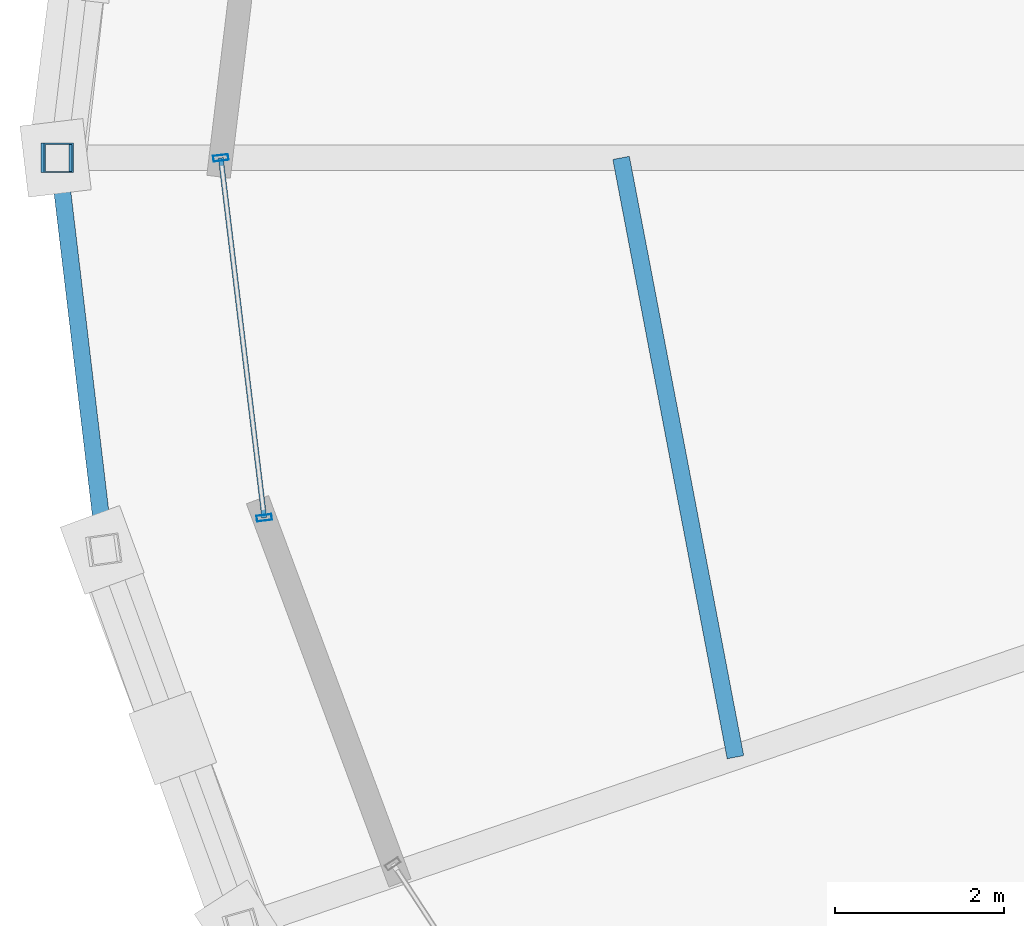
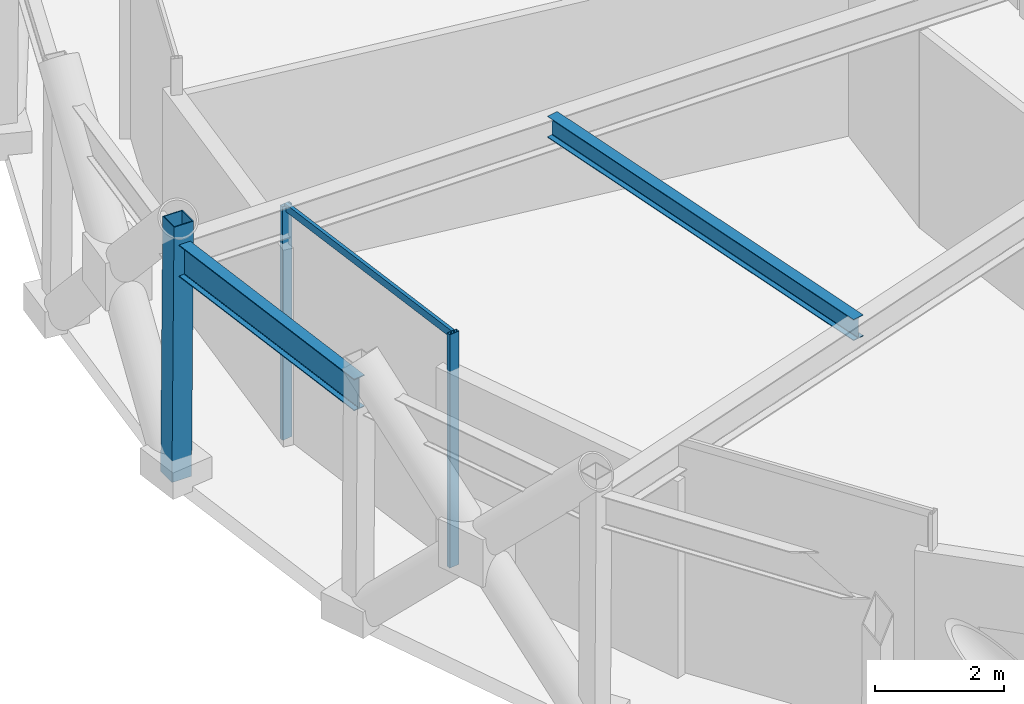
# One storey, part 7 of 39: 4 members, 2 beams, 1 element without a shape of its own.
"""IFC4 building model written with IfcOpenShell, lengths in metres."""

from ifc_helpers import new_model, si_unit, direction, frame, origin, origin_2d, place, context, subcontext, project, spatial, hollow_rectangle, i_section, extrude, material, layer, layer_set, material_profile, profile_set, type_object, element, aggregate, save


model = new_model("IFC4")

# Units and contexts
model_context = context("Model", 3, precision=1e-05, world=origin(), true_north=direction((0.0, 1.0)))
body_context = subcontext(model_context, "Body", "Model", "MODEL_VIEW")
ifc_project = project(units=[si_unit("LENGTHUNIT", "METRE"), si_unit("AREAUNIT", "SQUARE_METRE"), si_unit("VOLUMEUNIT", "CUBIC_METRE"), si_unit("PLANEANGLEUNIT", "RADIAN"), si_unit("MASSUNIT", "GRAM", prefix="KILO")], contexts=[model_context])

# Site, building, storey
site_placement = place(None, origin())
site = spatial("IfcSite", under=ifc_project, at=site_placement, CompositionType="ELEMENT")
building_placement = place(site_placement, origin())
building = spatial("IfcBuilding", under=site, at=building_placement, Name="Veldorina Hangang Commons", CompositionType="ELEMENT")
storey_placement = place(building_placement, frame((0.0, 0.0, 106.0)))
storey = spatial("IfcBuildingStorey", under=building, at=storey_placement, Name="L27", CompositionType="ELEMENT", Elevation=106.0)

# Beams
ifc_material_1 = material(Name="Steel SM355-TMC", Category="steel")
ifc_material_profile_1 = material_profile(ifc_material_1, i_section(OverallWidth=0.199951171875, OverallDepth=0.39990234375, WebThickness=0.008056640625, FlangeThickness=0.012939453125, FilletRadius=0.012939453125, at=origin_2d()), Name="H-400x200x8x13")
ifc_profile_set_1 = profile_set([ifc_material_profile_1], Name="Steel SM355-TMC")
beam_type_1 = type_object("IfcBeamType", Name="BM-JST400", PredefinedType="JOIST", material=ifc_profile_set_1)
beam_1_placement = place(storey_placement, frame((9.926513671875, 24.0, 4.239990234375), z_axis=(0.187404990321, -0.982282734045, 0.0), x_axis=(0.982282734045, 0.187404990321, 0.0)))
element("IfcBeam", 1, at=beam_1_placement, inside=storey, type_object=beam_type_1, Name="L27 secondary floor joist 09", PredefinedType="JOIST", context=body_context, shape_type="SweptSolid", body=[
    extrude(i_section(OverallWidth=0.199951171875, OverallDepth=0.39990234375, WebThickness=0.008056640625, FlangeThickness=0.012939453125, FilletRadius=0.012939453125, at=origin_2d()), origin(), (0.0, 0.0, 1.0), 7.2392578125),
])
ifc_material_2 = material(Name="Steel SM420-TMC", Category="steel")
ifc_material_profile_2 = material_profile(ifc_material_2, i_section(OverallWidth=0.199951171875, OverallDepth=0.60009765625, WebThickness=0.010986328125, FlangeThickness=0.01708984375, FilletRadius=0.01806640625, at=origin_2d()), Name="H-600x200x11x17")
ifc_profile_set_2 = profile_set([ifc_material_profile_2], Name="Steel SM420-TMC")
beam_type_2 = type_object("IfcBeamType", Name="BM-RB600", PredefinedType="BEAM", material=ifc_profile_set_2)
beam_2_placement = place(storey_placement, frame((3.24951171875, 24.0, 4.139892578125), z_axis=(0.118030441643, -0.993009977214, 0.0), x_axis=(0.993009977214, 0.118030441643, 0.0)))
element("IfcBeam", 2, at=beam_2_placement, inside=storey, type_object=beam_type_2, Name="L27 perimeter hoop ring beam 16", PredefinedType="BEAM", context=body_context, shape_type="SweptSolid", body=[
    extrude(i_section(OverallWidth=0.199951171875, OverallDepth=0.60009765625, WebThickness=0.010986328125, FlangeThickness=0.01708984375, FilletRadius=0.01806640625, at=origin_2d()), origin(), (0.0, 0.0, 1.0), 4.680908203125),
])

# Curtain wall, members
ifc_material_3 = material(Name="Glass Acoustic Laminated", Category="glass")
ifc_layer = layer(ifc_material_3, 0.179931640625)
ifc_layer_set = layer_set([ifc_layer], Name="Glass Acoustic Laminated")
curtain_wall_type = type_object("IfcCurtainWallType", Name="CW-SYS-SKY", PredefinedType="NOTDEFINED", material=ifc_layer_set)
curtain_wall_placement = place(storey_placement, origin())
curtain_wall = element("IfcCurtainWall", 3, at=curtain_wall_placement, inside=storey, type_object=curtain_wall_type, Name="L27 unitised curtain wall CW-L27-R9", PredefinedType="NOTDEFINED")
ifc_material_4 = material(Name="Aluminium Anodized AA6063-T6", Category="aluminium")
ifc_material_profile_3 = material_profile(ifc_material_4, hollow_rectangle(XDim=0.070068359375, YDim=0.179931640625, WallThickness=0.00390625, at=origin_2d()), Name="ALU-RHS-180x70x4")
ifc_profile_set_3 = profile_set([ifc_material_profile_3], Name="Aluminium Anodized AA6063-T6")
member_type_1 = type_object("IfcMemberType", Name="CW-MUL-180", PredefinedType="MULLION", material=ifc_profile_set_3)
member_1_placement = place(storey_placement, frame((5.177001953125, 24.0, 0.0), z_axis=(0.0, 0.0, 1.0), x_axis=(0.119824948994, -0.992795035039, 0.0)))
member_1 = element("IfcMember", 4, at=member_1_placement, type_object=member_type_1, Name="CW-L27-R9 vertical mullion 1", PredefinedType="MULLION", context=body_context, shape_type="SweptSolid", body=[
    extrude(hollow_rectangle(XDim=0.070068359375, YDim=0.179931640625, WallThickness=0.00390625, at=origin_2d()), origin(), (0.0, 0.0, 1.0), 4.39990234375),
])
member_2_placement = place(storey_placement, frame((5.6923828125, 19.729736328125, 0.0), z_axis=(0.0, 0.0, 1.0), x_axis=(-0.119824948994, 0.992795035039, 0.0)))
member_2 = element("IfcMember", 5, at=member_2_placement, type_object=member_type_1, Name="CW-L27-R9 vertical mullion 2", PredefinedType="MULLION", context=body_context, shape_type="SweptSolid", body=[
    extrude(hollow_rectangle(XDim=0.070068359375, YDim=0.179931640625, WallThickness=0.00390625, at=origin_2d()), origin(), (0.0, 0.0, 1.0), 4.39990234375),
])
ifc_material_profile_4 = material_profile(ifc_material_4, hollow_rectangle(XDim=0.06005859375, YDim=0.139892578125, WallThickness=0.00341796875, at=origin_2d()), Name="ALU-RHS-140x60x3.5")
ifc_profile_set_4 = profile_set([ifc_material_profile_4], Name="Aluminium Anodized AA6063-T6")
member_type_2 = type_object("IfcMemberType", Name="CW-TRN-140", PredefinedType="USERDEFINED", material=ifc_profile_set_4)
member_3_placement = place(storey_placement, frame((5.177001953125, 24.0, 4.360107421875), z_axis=(0.119821124768, -0.992795496595, 0.0), x_axis=(0.992795496595, 0.119821124768, 0.0)))
member_3 = element("IfcMember", 6, at=member_3_placement, type_object=member_type_2, Name="CW-L27-R9 facet 1 transom 1", ObjectType="TRANSOM", PredefinedType="USERDEFINED", context=body_context, shape_type="SweptSolid", body=[
    extrude(hollow_rectangle(XDim=0.06005859375, YDim=0.139892578125, WallThickness=0.00341796875, at=origin_2d()), origin(), (0.0, 0.0, 1.0), 4.30126953125),
])
aggregate(curtain_wall, [member_1, member_2, member_3])

# Member
ifc_material_profile_5 = material_profile(ifc_material_1, hollow_rectangle(XDim=0.35009765625, YDim=0.35009765625, WallThickness=0.01611328125, at=origin_2d()), Name="SHS-350x350x16")
ifc_profile_set_5 = profile_set([ifc_material_profile_5], Name="Steel SM355-TMC")
member_type_3 = type_object("IfcMemberType", Name="STR-SHS350", PredefinedType="STRUT", material=ifc_profile_set_5)
member_4_placement = place(storey_placement, frame((3.217041015625, 24.0, 0.0), z_axis=(0.007883382507, 0.0, 0.999968925657), x_axis=(0.0, 1.0, 0.0)))
element("IfcMember", 7, at=member_4_placement, inside=storey, type_object=member_type_3, Name="L27 perimeter ring node post 16", PredefinedType="STRUT", context=body_context, shape_type="SweptSolid", body=[
    extrude(hollow_rectangle(XDim=0.35009765625, YDim=0.35009765625, WallThickness=0.01611328125, at=origin_2d()), origin(), (0.0, 0.0, 1.0), 4.80029296875),
])

save(model, "model.ifc")
